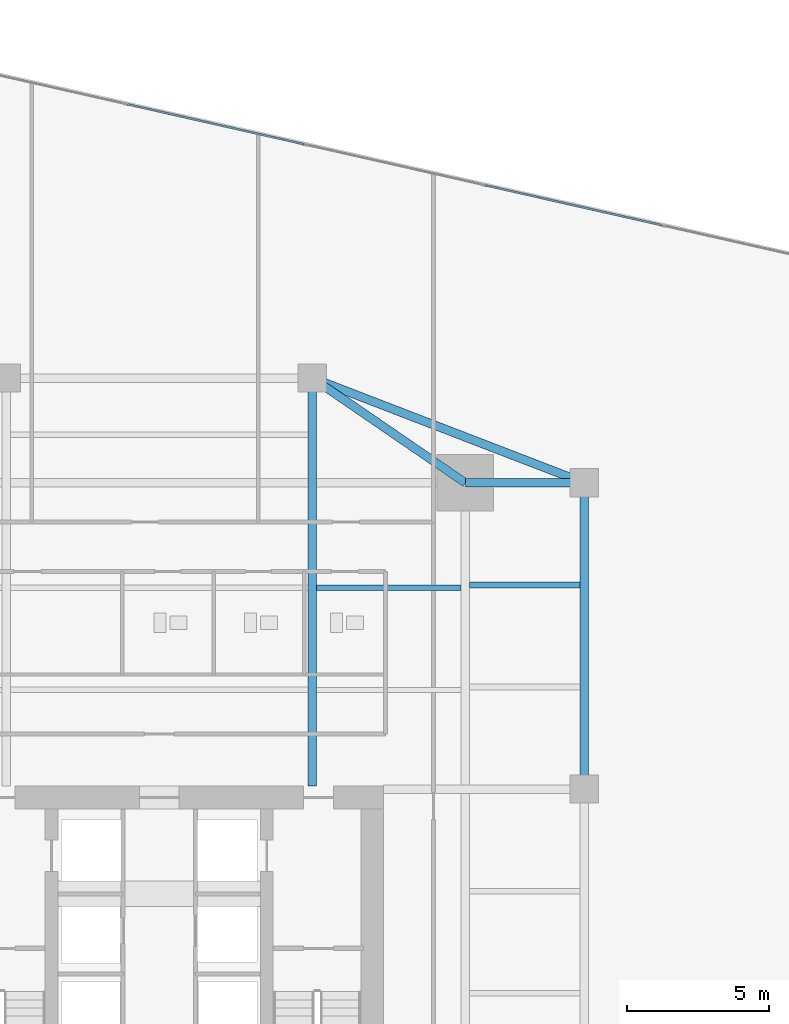
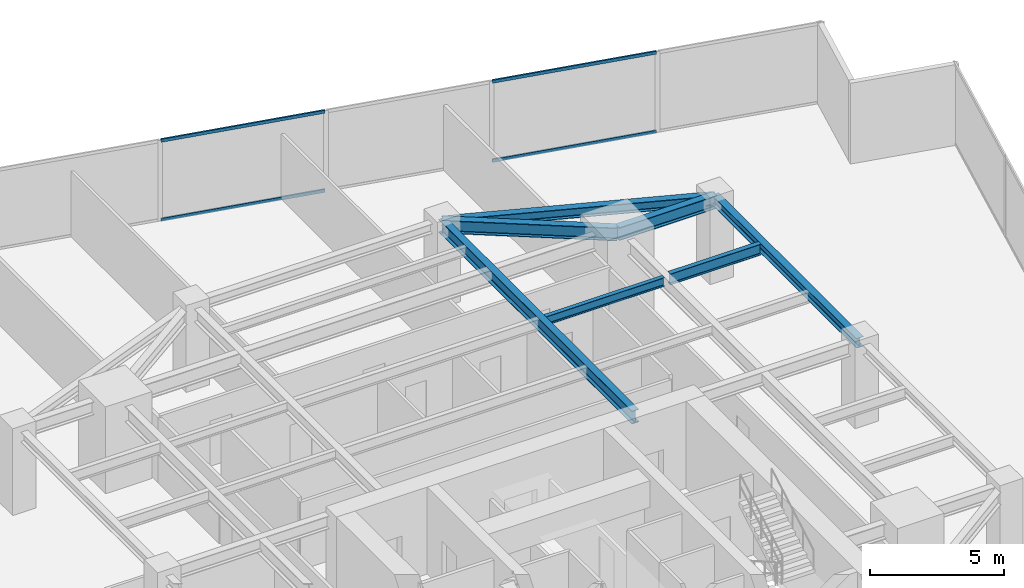
# One storey, part 19 of 26: 7 beams, 4 members, 1 element without a shape of its own.
"""IFC4 building model written with IfcOpenShell, lengths in metres."""

import ifcopenshell
import ifcopenshell.guid

model = None  # the IFC model being written
_history = None  # IfcOwnerHistory: only IFC2X3 demands one
_inside = {}  # id of a spatial element -> (the spatial element, [elements in it])
_under = {}  # id of a project, library or spatial element -> (it, [spatial elements below it])
_declared = {}  # id of a project -> (the project, [libraries it declares])
_typed = {}  # id of a type object -> (the type object, [elements of that type])
_made_of = {}  # id of a material, layer set ... -> (it, [elements and type objects made of it])


def new_model(schema):
    """Start an empty IFC model of exactly this schema.

    Asked for "IFC4X3", IfcOpenShell would pick the latest addendum, in which some entities
    have other attributes; the version numbers below select the first issue.
    IFC2X3 requires an IfcOwnerHistory on every rooted entity: one is made here for all.
    """
    global model, _history
    if schema == "IFC4X3":
        model = ifcopenshell.file(schema_version=(4, 3, 0, 0))
    else:
        model = ifcopenshell.file(schema=schema)
    _inside.clear()
    _under.clear()
    _declared.clear()
    _typed.clear()
    _made_of.clear()
    _history = None
    if model.schema == "IFC2X3":
        org = make("IfcOrganization", Name="unknown")
        user = make(
            "IfcPersonAndOrganization",
            ThePerson=make("IfcPerson", FamilyName="unknown"),
            TheOrganization=org,
        )
        app = make(
            "IfcApplication",
            ApplicationDeveloper=org,
            Version="unknown",
            ApplicationFullName="unknown",
            ApplicationIdentifier="unknown",
        )
        _history = make(
            "IfcOwnerHistory",
            OwningUser=user,
            OwningApplication=app,
            ChangeAction="ADDED",
            CreationDate=0,
        )
    return model


def make(cls, **values):
    """One entity of the class cls with the attributes given. An attribute that is None is left unset."""
    return model.create_entity(
        cls, **{name: value for name, value in values.items() if value is not None}
    )


def rooted(cls, **values):
    """An entity with a GlobalId (a new one), such as an element, a storey or a relation."""
    return make(cls, GlobalId=ifcopenshell.guid.new(), OwnerHistory=_history, **values)


def si_unit(unit_type, name, prefix=None):
    """IfcSIUnit, for example si_unit("LENGTHUNIT", "METRE", prefix="MILLI")."""
    return make("IfcSIUnit", UnitType=unit_type, Prefix=prefix, Name=name)


def assignment(units):
    """IfcUnitAssignment: the units of a project."""
    return None if units is None else make("IfcUnitAssignment", Units=units)


def point(xyz):
    """IfcCartesianPoint."""
    return None if xyz is None else make("IfcCartesianPoint", Coordinates=xyz)


def direction(xyz):
    """IfcDirection."""
    return None if xyz is None else make("IfcDirection", DirectionRatios=xyz)


def frame(location, z_axis=None, x_axis=None):
    """IfcAxis2Placement3D, a coordinate frame: its origin and axes. An axis left out is left unset."""
    return make(
        "IfcAxis2Placement3D",
        Location=point(location),
        Axis=direction(z_axis),
        RefDirection=direction(x_axis),
    )


def frame_2d(location, x_axis=None):
    """IfcAxis2Placement2D, a coordinate frame in the plane: its origin and x axis."""
    return make(
        "IfcAxis2Placement2D", Location=point(location), RefDirection=direction(x_axis)
    )


def origin():
    """The frame at (0, 0, 0) with its axes left unset."""
    return frame((0.0, 0.0, 0.0))


def origin_2d():
    """The frame at (0, 0) in the plane with its x axis left unset."""
    return frame_2d((0.0, 0.0))


def place(relative_to, where):
    """IfcLocalPlacement: puts the frame where relative to a parent placement (None: the world)."""
    return make(
        "IfcLocalPlacement", PlacementRelTo=relative_to, RelativePlacement=where
    )


def context(
    kind, dimensions, precision=None, world=None, true_north=None, identifier=None
):
    """IfcGeometricRepresentationContext, for example the 3D "Model" context."""
    return make(
        "IfcGeometricRepresentationContext",
        ContextIdentifier=identifier,
        ContextType=kind,
        CoordinateSpaceDimension=dimensions,
        Precision=precision,
        WorldCoordinateSystem=world,
        TrueNorth=true_north,
    )


def subcontext(parent, identifier, kind, view, scale=None):
    """IfcGeometricRepresentationSubContext, for example "Body" below "Model"."""
    return make(
        "IfcGeometricRepresentationSubContext",
        ContextIdentifier=identifier,
        ContextType=kind,
        ParentContext=parent,
        TargetScale=scale,
        TargetView=view,
    )


def project(units=None, contexts=None):
    """IfcProject with its units and contexts."""
    return rooted(
        "IfcProject",
        Name="project",
        RepresentationContexts=contexts,
        UnitsInContext=assignment(units),
    )


def spatial(cls, under=None, at=None, **own):
    """A site, building, storey or space (cls), placed at a placement, below another one or the project."""
    s = rooted(cls, ObjectPlacement=at, **own)
    if under is not None:
        _under.setdefault(under.id(), (under, []))[1].append(s)
    return s


def profile(cls, at=None, kind="AREA", **sizes):
    """A parametric profile (cls). Its sizes go by their IFC names, for example OverallWidth=200.0."""
    return make(cls, ProfileType=kind, Position=at, **sizes)


def hollow_rectangle(**sizes):
    """IfcRectangleHollowProfileDef."""
    return profile("IfcRectangleHollowProfileDef", **sizes)


def i_section(**sizes):
    """IfcIShapeProfileDef."""
    return profile("IfcIShapeProfileDef", **sizes)


def extrude(swept, where, along, depth):
    """IfcExtrudedAreaSolid: the profile swept, set in the frame where, extruded along a direction by depth."""
    return make(
        "IfcExtrudedAreaSolid",
        SweptArea=swept,
        Position=where,
        ExtrudedDirection=direction(along),
        Depth=depth,
    )


def shape(context_of_items, identifier, shape_type, items):
    """IfcShapeRepresentation: the items that make up one representation, for example the "Body"."""
    return make(
        "IfcShapeRepresentation",
        ContextOfItems=context_of_items,
        RepresentationIdentifier=identifier,
        RepresentationType=shape_type,
        Items=items,
    )


def source(mapping_origin, context_of_items, identifier, shape_type, items):
    """IfcRepresentationMap: a shape defined once, which mapped items show again and again."""
    return make(
        "IfcRepresentationMap",
        MappingOrigin=mapping_origin,
        MappedRepresentation=shape(context_of_items, identifier, shape_type, items),
    )


def transform(
    local_origin,
    x_axis=None,
    y_axis=None,
    z_axis=None,
    scale=None,
    scale2=None,
    scale3=None,
    uniform=True,
):
    """IfcCartesianTransformationOperator3D, or its non-uniform kind. x_axis, y_axis, z_axis: its Axis1, 2, 3."""
    if uniform:
        return make(
            "IfcCartesianTransformationOperator3D",
            Axis1=direction(x_axis),
            Axis2=direction(y_axis),
            LocalOrigin=point(local_origin),
            Scale=scale,
            Axis3=direction(z_axis),
        )
    return make(
        "IfcCartesianTransformationOperator3DnonUniform",
        Axis1=direction(x_axis),
        Axis2=direction(y_axis),
        LocalOrigin=point(local_origin),
        Scale=scale,
        Axis3=direction(z_axis),
        Scale2=scale2,
        Scale3=scale3,
    )


def mapped(mapping_source, mapping_target):
    """IfcMappedItem: shows the shape of a source again, moved by a transform."""
    return make(
        "IfcMappedItem", MappingSource=mapping_source, MappingTarget=mapping_target
    )


def material(Name=None, Category=None):
    """IfcMaterial."""
    return make("IfcMaterial", Name=Name, Category=Category)


def material_profile(
    of_material, cross_section, Name=None, Category=None, Priority=None
):
    """IfcMaterialProfile: a cross section and its material."""
    return make(
        "IfcMaterialProfile",
        Name=Name,
        Material=of_material,
        Profile=cross_section,
        Priority=Priority,
        Category=Category,
    )


def profile_set(profiles, Name=None, composite=None):
    """IfcMaterialProfileSet."""
    return make(
        "IfcMaterialProfileSet",
        Name=Name,
        MaterialProfiles=profiles,
        CompositeProfile=composite,
    )


def made_of(thing, what):
    """Note that an element or type object is made of a material, layer set ...; save() writes the relation."""
    if what is not None:
        _made_of.setdefault(what.id(), (what, []))[1].append(thing)
    return thing


def type_object(cls, material=None, **own):
    """A type object (cls), such as IfcWallType, which elements share."""
    return made_of(rooted(cls, **own), material)


def type_shapes(of_type, sources):
    """Give a type object the sources (RepresentationMaps) that its elements show as mapped items."""
    of_type.RepresentationMaps = sources


def element(
    cls,
    number,
    at=None,
    inside=None,
    cuts=None,
    type_object=None,
    material=None,
    context=None,
    identifier="Body",
    shape_type=None,
    held_by="IfcProductDefinitionShape",
    body=None,
    shapes=None,
    **own,
):
    """One element of the class cls, such as IfcWall. Its Tag is "e" and its number.

    at: its placement. inside: the storey or other place that contains it. cuts: it is an
    opening in that element (IfcRelVoidsElement). A single representation is given by context,
    identifier, shape_type and body (its items); several are given by shapes. held_by: the class
    of the entity that holds the representations. save() writes the other relations.
    """
    e = rooted(cls, Tag="e%d" % number, ObjectPlacement=at, **own)
    if body is not None:
        shapes = [shape(context, identifier, shape_type, body)]
    if shapes is not None:
        e.Representation = make(held_by, Representations=shapes)
    if inside is not None:
        _inside.setdefault(inside.id(), (inside, []))[1].append(e)
    if cuts is not None:
        rooted(
            "IfcRelVoidsElement", RelatingBuildingElement=cuts, RelatedOpeningElement=e
        )
    if type_object is not None:
        _typed.setdefault(type_object.id(), (type_object, []))[1].append(e)
    return made_of(e, material)


def aggregate(whole, parts):
    """IfcRelAggregates: a whole, such as a stair, and the parts it consists of."""
    return rooted("IfcRelAggregates", RelatingObject=whole, RelatedObjects=parts)


def save(model, path):
    """Write the relations noted so far, then the file.

    IfcRelAggregates (storeys below a building ...), IfcRelContainedInSpatialStructure (elements
    in a storey), IfcRelDefinesByType, IfcRelAssociatesMaterial and IfcRelDeclares: one each for
    every whole, place, type object, material and project.
    """
    for whole, parts in _under.values():
        aggregate(whole, parts)
    for where, things in _inside.values():
        rooted(
            "IfcRelContainedInSpatialStructure",
            RelatedElements=things,
            RelatingStructure=where,
        )
    for kind, things in _typed.values():
        rooted("IfcRelDefinesByType", RelatedObjects=things, RelatingType=kind)
    for what, things in _made_of.values():
        rooted("IfcRelAssociatesMaterial", RelatedObjects=things, RelatingMaterial=what)
    for by, libraries in _declared.values():
        rooted("IfcRelDeclares", RelatingContext=by, RelatedDefinitions=libraries)
    model.write(path)


model = new_model("IFC4")

# Units and contexts
model_context = context("Model", 3, precision=1e-05, world=origin(), true_north=direction((0.0, 1.0)))
body_context = subcontext(model_context, "Body", "Model", "MODEL_VIEW")
ifc_project = project(units=[si_unit("LENGTHUNIT", "METRE"), si_unit("AREAUNIT", "SQUARE_METRE"), si_unit("VOLUMEUNIT", "CUBIC_METRE"), si_unit("PLANEANGLEUNIT", "RADIAN"), si_unit("MASSUNIT", "GRAM", prefix="KILO")], contexts=[model_context])

# Site, building, storey
site_placement = place(None, origin())
site = spatial("IfcSite", under=ifc_project, at=site_placement, CompositionType="ELEMENT")
building_placement = place(site_placement, origin())
building = spatial("IfcBuilding", under=site, at=building_placement, Name="Krantzveldt Concourse Tower", CompositionType="ELEMENT")
storey_placement = place(building_placement, frame((0.0, 0.0, 90.050048828125)))
storey = spatial("IfcBuildingStorey", under=building, at=storey_placement, Name="L21", CompositionType="ELEMENT", Elevation=90.050048828125)

# Beams
ifc_material_1 = material(Name="Steel S355JR", Category="steel")
ifc_material_profile_1 = material_profile(ifc_material_1, i_section(OverallWidth=0.300048828125, OverallDepth=0.590087890625, WebThickness=0.012939453125, FlangeThickness=0.02490234375, FilletRadius=0.027099609375, at=origin_2d()), Name="Steel S355JR", Category="steel")
ifc_profile_set_1 = profile_set([ifc_material_profile_1], Name="Steel S355JR - HEA 600")
beam_type_1 = type_object("IfcBeamType", Name="BM-B-HEA600", PredefinedType="BEAM", material=ifc_profile_set_1)
shared_shape_1 = source(origin(), body_context, "Body", "SweptSolid", [
    extrude(i_section(OverallWidth=0.300048828125, OverallDepth=0.590087890625, WebThickness=0.012939453125, FlangeThickness=0.02490234375, FilletRadius=0.027099609375, at=origin_2d()), origin(), (0.0, 0.0, 1.0), 14.39990234375),
])
beam_1_placement = place(storey_placement, frame((41.39990234375, 26.800048828125, 3.375), z_axis=(0.0, 1.0, 0.0), x_axis=(-1.0, 0.0, 0.0)))
element("IfcBeam", 1, at=beam_1_placement, inside=storey, type_object=beam_type_1, Name="L21 Tower Girder BG-CNE", PredefinedType="BEAM", context=body_context, shape_type="MappedRepresentation", body=[
    mapped(shared_shape_1, transform((0.0, 0.0, 0.0), x_axis=(1.0, 0.0, 0.0), y_axis=(0.0, 1.0, 0.0), z_axis=(0.0, 0.0, 1.0), scale=1.0)),
])
ifc_material_profile_2 = material_profile(ifc_material_1, i_section(OverallWidth=0.300048828125, OverallDepth=0.43994140625, WebThickness=0.011474609375, FlangeThickness=0.02099609375, FilletRadius=0.027099609375, at=origin_2d()), Name="Steel S355JR", Category="steel")
ifc_profile_set_2 = profile_set([ifc_material_profile_2], Name="Steel S355JR - HEA 450")
beam_type_2 = type_object("IfcBeamType", Name="BM-SP-HEA450", PredefinedType="SPANDREL", material=ifc_profile_set_2)
shared_shape_2 = source(origin(), body_context, "Body", "SweptSolid", [
    extrude(i_section(OverallWidth=0.300048828125, OverallDepth=0.43994140625, WebThickness=0.011474609375, FlangeThickness=0.02099609375, FilletRadius=0.027099609375, at=origin_2d()), origin(), (0.0, 0.0, 1.0), 10.800048828125),
])
beam_2_placement = place(storey_placement, frame((51.0, 37.5, 3.449951171875), z_axis=(0.0, -1.0, 0.0), x_axis=(1.0, 0.0, 0.0)))
element("IfcBeam", 2, at=beam_2_placement, inside=storey, type_object=beam_type_2, Name="L21 Tower Girder SP-R06", PredefinedType="SPANDREL", context=body_context, shape_type="MappedRepresentation", body=[
    mapped(shared_shape_2, transform((0.0, 0.0, 0.0), x_axis=(1.0, 0.0, 0.0), y_axis=(0.0, 1.0, 0.0), z_axis=(0.0, 0.0, 1.0), scale=1.0)),
])
shared_shape_3 = source(origin(), body_context, "Body", "SweptSolid", [
    extrude(i_section(OverallWidth=0.300048828125, OverallDepth=0.43994140625, WebThickness=0.011474609375, FlangeThickness=0.02099609375, FilletRadius=0.027099609375, at=origin_2d()), origin(), (0.0, 0.0, 1.0), 10.288330078125),
])
type_shapes(beam_type_2, [shared_shape_2, shared_shape_3])
beam_3_placement = place(storey_placement, frame((41.39990234375, 41.199951171875, 3.449951171875), z_axis=(0.933097690408, -0.359622997257, 0.0), x_axis=(0.359622997257, 0.933097690408, 0.0)))
element("IfcBeam", 3, at=beam_3_placement, inside=storey, type_object=beam_type_2, Name="L21 Tower Girder SP-R05", PredefinedType="SPANDREL", context=body_context, shape_type="MappedRepresentation", body=[
    mapped(shared_shape_3, transform((0.0, 0.0, 0.0), x_axis=(1.0, 0.0, 0.0), y_axis=(0.0, 1.0, 0.0), z_axis=(0.0, 0.0, 1.0), scale=1.0)),
])
shared_shape_4 = source(origin(), body_context, "Body", "SweptSolid", [
    extrude(i_section(OverallWidth=0.300048828125, OverallDepth=0.590087890625, WebThickness=0.012939453125, FlangeThickness=0.02490234375, FilletRadius=0.027099609375, at=origin_2d()), origin(), (0.0, 0.0, 1.0), 4.199951171875),
])
beam_4_placement = place(storey_placement, frame((46.800048828125, 37.5, 3.375), z_axis=(1.0, 0.0, 0.0), x_axis=(0.0, 1.0, 0.0)))
element("IfcBeam", 4, at=beam_4_placement, inside=storey, type_object=beam_type_1, Name="L21 Tower Girder BR-RR3", PredefinedType="BEAM", context=body_context, shape_type="MappedRepresentation", body=[
    mapped(shared_shape_4, transform((0.0, 0.0, 0.0), x_axis=(1.0, 0.0, 0.0), y_axis=(0.0, 1.0, 0.0), z_axis=(0.0, 0.0, 1.0), scale=1.0)),
])
shared_shape_5 = source(origin(), body_context, "Body", "SweptSolid", [
    extrude(i_section(OverallWidth=0.300048828125, OverallDepth=0.590087890625, WebThickness=0.012939453125, FlangeThickness=0.02490234375, FilletRadius=0.027099609375, at=origin_2d()), origin(), (0.0, 0.0, 1.0), 6.546142578125),
])
type_shapes(beam_type_1, [shared_shape_1, shared_shape_4, shared_shape_5])
beam_5_placement = place(storey_placement, frame((46.800048828125, 37.5, 3.375), z_axis=(-0.824942999484, 0.565215930068, 0.0), x_axis=(-0.565215930068, -0.824942999484, 0.0)))
element("IfcBeam", 5, at=beam_5_placement, inside=storey, type_object=beam_type_1, Name="L21 Tower Girder BR-RR4", PredefinedType="BEAM", context=body_context, shape_type="MappedRepresentation", body=[
    mapped(shared_shape_5, transform((0.0, 0.0, 0.0), x_axis=(1.0, 0.0, 0.0), y_axis=(0.0, 1.0, 0.0), z_axis=(0.0, 0.0, 1.0), scale=1.0)),
])
ifc_material_profile_3 = material_profile(ifc_material_1, i_section(OverallWidth=0.179931640625, OverallDepth=0.39990234375, WebThickness=0.008544921875, FlangeThickness=0.013427734375, FilletRadius=0.02099609375, at=origin_2d()), Name="Steel S355JR", Category="steel")
ifc_profile_set_3 = profile_set([ifc_material_profile_3], Name="Steel S355JR - IPE 400")
beam_type_3 = type_object("IfcBeamType", Name="BM-J-IPE400", PredefinedType="JOIST", material=ifc_profile_set_3)
shared_shape_6 = source(origin(), body_context, "Body", "SweptSolid", [
    extrude(i_section(OverallWidth=0.179931640625, OverallDepth=0.39990234375, WebThickness=0.008544921875, FlangeThickness=0.013427734375, FilletRadius=0.02099609375, at=origin_2d()), origin(), (0.0, 0.0, 1.0), 5.099853515625),
])
type_shapes(beam_type_3, [shared_shape_6])
beam_6_placement = place(storey_placement, frame((41.550048828125, 33.800048828125, 3.469970703125), z_axis=(1.0, 0.0, 0.0), x_axis=(0.0, 1.0, 0.0)))
element("IfcBeam", 6, at=beam_6_placement, inside=storey, type_object=beam_type_3, Name="L21 Secondary Floor Joist JN-E2", PredefinedType="JOIST", context=body_context, shape_type="MappedRepresentation", body=[
    mapped(shared_shape_6, transform((0.0, 0.0, 0.0), x_axis=(1.0, 0.0, 0.0), y_axis=(0.0, 1.0, 0.0), z_axis=(0.0, 0.0, 1.0), scale=1.0)),
])
ifc_material_profile_4 = material_profile(ifc_material_1, i_section(OverallWidth=0.199951171875, OverallDepth=0.5, WebThickness=0.01025390625, FlangeThickness=0.01611328125, FilletRadius=0.02099609375, at=origin_2d()), Name="Steel S355JR", Category="steel")
ifc_profile_set_4 = profile_set([ifc_material_profile_4], Name="Steel S355JR - IPE 500")
beam_type_4 = type_object("IfcBeamType", Name="BM-J-IPE500", PredefinedType="JOIST", material=ifc_profile_set_4)
shared_shape_7 = source(origin(), body_context, "Body", "SweptSolid", [
    extrude(i_section(OverallWidth=0.199951171875, OverallDepth=0.5, WebThickness=0.01025390625, FlangeThickness=0.01611328125, FilletRadius=0.02099609375, at=origin_2d()), origin(), (0.0, 0.0, 1.0), 3.900146484375),
])
type_shapes(beam_type_4, [shared_shape_7])
beam_7_placement = place(storey_placement, frame((46.949951171875, 33.89990234375, 3.419921875), z_axis=(1.0, 0.0, 0.0), x_axis=(0.0, 1.0, 0.0)))
element("IfcBeam", 7, at=beam_7_placement, inside=storey, type_object=beam_type_4, Name="L21 Secondary Floor Joist JE-4", PredefinedType="JOIST", context=body_context, shape_type="MappedRepresentation", body=[
    mapped(shared_shape_7, transform((0.0, 0.0, 0.0), x_axis=(1.0, 0.0, 0.0), y_axis=(0.0, 1.0, 0.0), z_axis=(0.0, 0.0, 1.0), scale=1.0)),
])

# Curtain wall, members
ifc_material_2 = material(Name="Anodised aluminium 6063-T6", Category="aluminium")
curtain_wall_type = type_object("IfcCurtainWallType", Name="CW2", PredefinedType="USERDEFINED", material=ifc_material_2)
curtain_wall_placement = place(storey_placement, origin())
curtain_wall = element("IfcCurtainWall", 8, at=curtain_wall_placement, inside=storey, type_object=curtain_wall_type, Name="CW-L21-F10", ObjectType="UNITISED CURTAIN WALL", PredefinedType="USERDEFINED")
ifc_material_profile_5 = material_profile(ifc_material_2, hollow_rectangle(XDim=0.070068359375, YDim=0.139892578125, WallThickness=0.0048828125, at=origin_2d()), Name="Anodised aluminium 6063-T6", Category="aluminium")
ifc_profile_set_5 = profile_set([ifc_material_profile_5], Name="Anodised aluminium 6063-T6 - ALU-TRAN 140x70x5")
member_type = type_object("IfcMemberType", Name="CW-TRN-150", PredefinedType="USERDEFINED", material=ifc_profile_set_5)
shared_shape_8 = source(origin(), body_context, "Body", "SweptSolid", [
    extrude(hollow_rectangle(XDim=0.070068359375, YDim=0.139892578125, WallThickness=0.0048828125, at=origin_2d()), origin(), (0.0, 0.0, 1.0), 6.396728515625),
])
type_shapes(member_type, [shared_shape_8])
member_1_placement = place(storey_placement, frame((53.724853515625, 46.588623046875, 0.034912109375), z_axis=(-0.975346478519, 0.220679058454, 0.0), x_axis=(-0.220679058454, -0.975346478519, 0.0)))
member_1 = element("IfcMember", 9, at=member_1_placement, type_object=member_type, Name="CW-Z12 transom 2.1", ObjectType="TRANSOM", PredefinedType="USERDEFINED", context=body_context, shape_type="MappedRepresentation", body=[
    mapped(shared_shape_8, transform((0.0, 0.0, 0.0), x_axis=(1.0, 0.0, 0.0), y_axis=(0.0, 1.0, 0.0), z_axis=(0.0, 0.0, 1.0), scale=1.0)),
])
member_2_placement = place(storey_placement, frame((53.724853515625, 46.588623046875, 3.635009765625), z_axis=(-0.975346478519, 0.220679058454, 0.0), x_axis=(-0.220679058454, -0.975346478519, 0.0)))
member_2 = element("IfcMember", 10, at=member_2_placement, type_object=member_type, Name="CW-Z12 transom 2.2", ObjectType="TRANSOM", PredefinedType="USERDEFINED", context=body_context, shape_type="MappedRepresentation", body=[
    mapped(shared_shape_8, transform((0.0, 0.0, 0.0), x_axis=(1.0, 0.0, 0.0), y_axis=(0.0, 1.0, 0.0), z_axis=(0.0, 0.0, 1.0), scale=1.0)),
])
member_3_placement = place(storey_placement, frame((41.1103515625, 49.44287109375, 0.034912109375), z_axis=(-0.975338262998, 0.220715365874, 0.0), x_axis=(-0.220715365874, -0.975338262998, 0.0)))
member_3 = element("IfcMember", 11, at=member_3_placement, type_object=member_type, Name="CW-Z12 transom 4.1", ObjectType="TRANSOM", PredefinedType="USERDEFINED", context=body_context, shape_type="MappedRepresentation", body=[
    mapped(shared_shape_8, transform((0.0, 0.0, 0.0), x_axis=(1.0, 0.0, 0.0), y_axis=(0.0, 1.0, 0.0), z_axis=(0.0, 0.0, 1.0), scale=1.0)),
])
member_4_placement = place(storey_placement, frame((41.1103515625, 49.44287109375, 3.635009765625), z_axis=(-0.975338262998, 0.220715365874, 0.0), x_axis=(-0.220715365874, -0.975338262998, 0.0)))
member_4 = element("IfcMember", 12, at=member_4_placement, type_object=member_type, Name="CW-Z12 transom 4.2", ObjectType="TRANSOM", PredefinedType="USERDEFINED", context=body_context, shape_type="MappedRepresentation", body=[
    mapped(shared_shape_8, transform((0.0, 0.0, 0.0), x_axis=(1.0, 0.0, 0.0), y_axis=(0.0, 1.0, 0.0), z_axis=(0.0, 0.0, 1.0), scale=1.0)),
])
aggregate(curtain_wall, [member_1, member_2, member_3, member_4])

save(model, "model.ifc")
